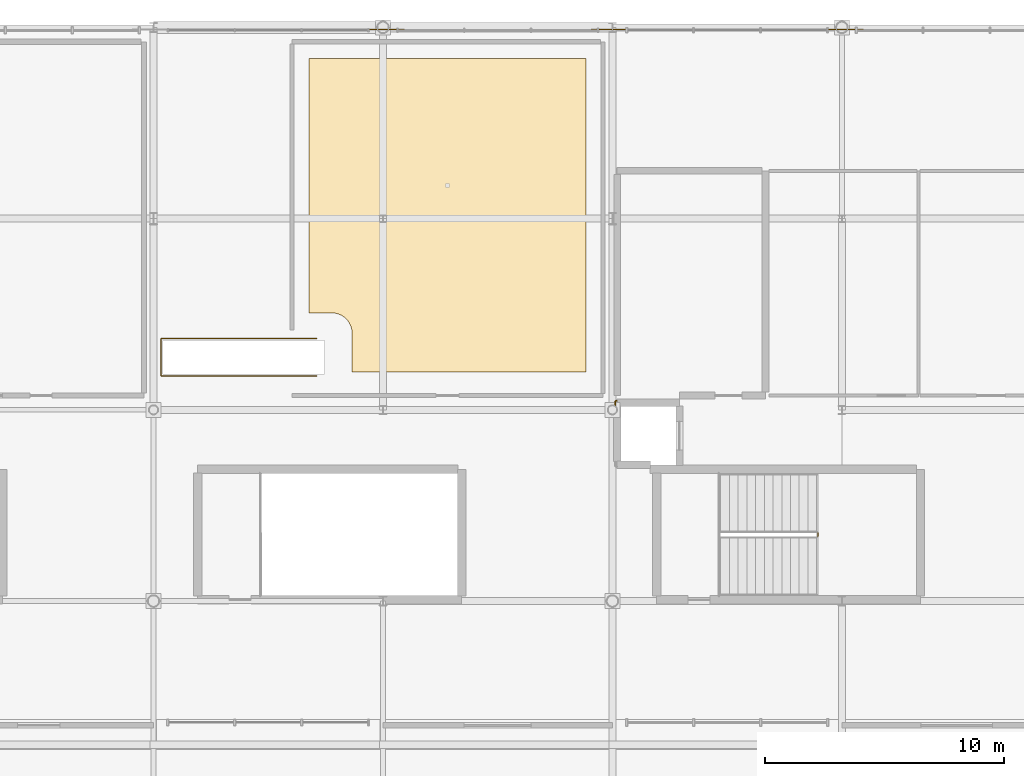
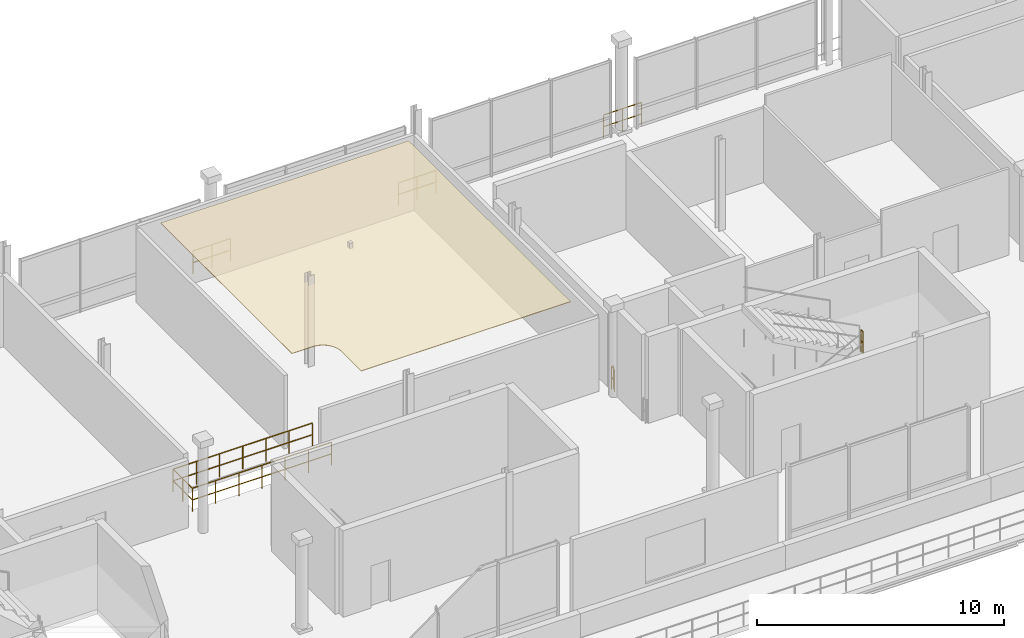
# One storey, part 24 of 26: 6 railings, 1 covering.
"""IFC4 building model written with IfcOpenShell, lengths in metres."""

from ifc_helpers import new_model, si_unit, direction, frame, origin, origin_2d, place, context, subcontext, project, spatial, polyline, circle, outline, extrude, material, layer, layer_set, type_object, element, save


model = new_model("IFC4")

# Units and contexts
model_context = context("Model", 3, precision=1e-05, world=origin(), true_north=direction((0.0, 1.0)))
body_context = subcontext(model_context, "Body", "Model", "MODEL_VIEW")
ifc_project = project(units=[si_unit("LENGTHUNIT", "METRE"), si_unit("AREAUNIT", "SQUARE_METRE"), si_unit("VOLUMEUNIT", "CUBIC_METRE"), si_unit("PLANEANGLEUNIT", "RADIAN"), si_unit("MASSUNIT", "GRAM", prefix="KILO")], contexts=[model_context])

# Site, building, storey
site_placement = place(None, origin())
site = spatial("IfcSite", under=ifc_project, at=site_placement, CompositionType="ELEMENT")
building_placement = place(site_placement, origin())
building = spatial("IfcBuilding", under=site, at=building_placement, Name="Danafjord Basin Convention Centre", CompositionType="ELEMENT")
storey_placement = place(building_placement, frame((0.0, 0.0, 24.89990234375)))
storey = spatial("IfcBuildingStorey", under=building, at=storey_placement, Name="L05", CompositionType="ELEMENT", Elevation=24.89990234375)

# Covering
ifc_material_1 = material(Name="Acoustic mineral-fibre tile ceiling")
ifc_layer = layer(ifc_material_1, 0.030029296875)
ifc_layer_set = layer_set([ifc_layer], Name="Acoustic mineral-fibre tile ceiling")
covering_type = type_object("IfcCoveringType", Name="COV-CLG-GYP01", PredefinedType="CEILING", material=ifc_layer_set)
covering_placement = place(storey_placement, frame((0.0, 0.0, 4.0)))
element("IfcCovering", 1, at=covering_placement, inside=storey, type_object=covering_type, Name="Summit Boardroom Suite M502 acoustic ceiling", PredefinedType="CEILING", context=body_context, shape_type="SweptSolid", body=[
    extrude(outline(polyline([(37.110107421875, 27.199951171875), (37.10888671875, 27.243896484375), (37.10791015625, 27.260009765625), (37.10302734375, 27.30908203125), (37.10107421875, 27.323974609375), (37.0830078125, 27.410888671875), (37.0791015625, 27.426025390625), (37.06689453125, 27.467041015625), (37.06201171875, 27.48193359375), (37.02392578125, 27.573974609375), (37.01708984375, 27.587890625), (36.9990234375, 27.6220703125), (36.990966796875, 27.635986328125), (36.958984375, 27.68701171875), (36.949951171875, 27.699951171875), (36.910888671875, 27.7509765625), (36.868896484375, 27.797119140625), (36.85791015625, 27.80810546875), (36.846923828125, 27.819091796875), (36.801025390625, 27.861083984375), (36.75, 27.89990234375), (36.737060546875, 27.908935546875), (36.68603515625, 27.94091796875), (36.672119140625, 27.948974609375), (36.637939453125, 27.967041015625), (36.6240234375, 27.97412109375), (36.531982421875, 28.011962890625), (36.51708984375, 28.01708984375), (36.47607421875, 28.029052734375), (36.4609375, 28.032958984375), (36.3740234375, 28.051025390625), (36.35888671875, 28.052978515625), (36.31005859375, 28.05810546875), (36.2939453125, 28.05908203125), (36.25, 28.06005859375), (35.300048828125, 28.06005859375), (35.300048828125, 38.699951171875), (46.89990234375, 38.699951171875), (46.89990234375, 25.590087890625), (37.110107421875, 25.590087890625), (37.110107421875, 27.199951171875)])), origin(), (0.0, 0.0, 1.0), 0.030029296875),
])

# Railings
ifc_material_2 = material(Name="Laminated structural glass and stainless steel", Category="steel")
railing_type_1 = type_object("IfcRailingType", Name="RL-BAL-GLS", PredefinedType="BALUSTRADE", material=ifc_material_2)
railing_1_placement = place(storey_placement, frame((37.52001953125, 39.919921875, 0.0)))
element("IfcRailing", 2, at=railing_1_placement, inside=storey, type_object=railing_type_1, Name="L05 safety guard balustrade 311", PredefinedType="BALUSTRADE", context=body_context, shape_type="SweptSolid", body=[
    extrude(circle(Radius=0.02392578125, at=origin_2d()), frame((0.0, 0.0, 1.1259765625), z_axis=(1.0, 0.0, 0.0), x_axis=(0.0, 1.0, 0.0)), (0.0, 0.0, 1.0), 1.760009765625),
    extrude(circle(Radius=0.02392578125, at=origin_2d()), frame((0.0, 0.0, 0.55078125), z_axis=(1.0, 0.0, 0.0), x_axis=(0.0, 1.0, 0.0)), (0.0, 0.0, 1.0), 1.760009765625),
    extrude(circle(Radius=0.02099609375, at=origin_2d()), origin(), (0.0, 0.0, 1.0), 1.099853515625),
    extrude(circle(Radius=0.02099609375, at=origin_2d()), frame((0.8798828125, 0.0, 0.0)), (0.0, 0.0, 1.0), 1.099853515625),
    extrude(circle(Radius=0.02099609375, at=origin_2d()), frame((1.760009765625, 0.0, 0.0)), (0.0, 0.0, 1.0), 1.099853515625),
])
railing_2_placement = place(storey_placement, frame((47.1201171875, 39.919921875, 0.0)))
element("IfcRailing", 3, at=railing_2_placement, inside=storey, type_object=railing_type_1, Name="L05 safety guard balustrade 312", PredefinedType="BALUSTRADE", context=body_context, shape_type="SweptSolid", body=[
    extrude(circle(Radius=0.02392578125, at=origin_2d()), frame((0.0, 0.0, 1.1259765625), z_axis=(1.0, 0.0, 0.0), x_axis=(0.0, 1.0, 0.0)), (0.0, 0.0, 1.0), 1.759765625),
    extrude(circle(Radius=0.02392578125, at=origin_2d()), frame((0.0, 0.0, 0.55078125), z_axis=(1.0, 0.0, 0.0), x_axis=(0.0, 1.0, 0.0)), (0.0, 0.0, 1.0), 1.759765625),
    extrude(circle(Radius=0.02099609375, at=origin_2d()), origin(), (0.0, 0.0, 1.0), 1.099853515625),
    extrude(circle(Radius=0.02099609375, at=origin_2d()), frame((0.8798828125, 0.0, 0.0)), (0.0, 0.0, 1.0), 1.099853515625),
    extrude(circle(Radius=0.02099609375, at=origin_2d()), frame((1.759765625, 0.0, 0.0)), (0.0, 0.0, 1.0), 1.099853515625),
])
railing_3_placement = place(storey_placement, frame((56.719970703125, 39.919921875, 0.0)))
element("IfcRailing", 4, at=railing_3_placement, inside=storey, type_object=railing_type_1, Name="L05 safety guard balustrade 313", PredefinedType="BALUSTRADE", context=body_context, shape_type="SweptSolid", body=[
    extrude(circle(Radius=0.02392578125, at=origin_2d()), frame((0.0, 0.0, 1.1259765625), z_axis=(1.0, 0.0, 0.0), x_axis=(0.0, 1.0, 0.0)), (0.0, 0.0, 1.0), 1.760009765625),
    extrude(circle(Radius=0.02392578125, at=origin_2d()), frame((0.0, 0.0, 0.55078125), z_axis=(1.0, 0.0, 0.0), x_axis=(0.0, 1.0, 0.0)), (0.0, 0.0, 1.0), 1.760009765625),
    extrude(circle(Radius=0.02099609375, at=origin_2d()), origin(), (0.0, 0.0, 1.0), 1.099853515625),
    extrude(circle(Radius=0.02099609375, at=origin_2d()), frame((0.8798828125, 0.0, 0.0)), (0.0, 0.0, 1.0), 1.099853515625),
    extrude(circle(Radius=0.02099609375, at=origin_2d()), frame((1.760009765625, 0.0, 0.0)), (0.0, 0.0, 1.0), 1.099853515625),
])
railing_4_placement = place(storey_placement, frame((48.199951171875, 24.3798828125, 0.0)))
element("IfcRailing", 5, at=railing_4_placement, inside=storey, type_object=railing_type_1, Name="L05 safety guard balustrade 324", PredefinedType="BALUSTRADE", context=body_context, shape_type="SweptSolid", body=[
    extrude(circle(Radius=0.02392578125, at=origin_2d()), frame((0.0, 0.0, 1.1259765625), z_axis=(-1.0, 0.0, 0.0), x_axis=(0.0, -1.0, 0.0)), (0.0, 0.0, 1.0), 0.079833984375),
    extrude(circle(Radius=0.02392578125, at=origin_2d()), frame((0.0, 0.0, 0.55078125), z_axis=(-1.0, 0.0, 0.0), x_axis=(0.0, -1.0, 0.0)), (0.0, 0.0, 1.0), 0.079833984375),
    extrude(circle(Radius=0.02392578125, at=origin_2d()), frame((-0.079833984375, 0.0, 1.1259765625), z_axis=(0.0, -1.0, 0.0), x_axis=(1.0, 0.0, 0.0)), (0.0, 0.0, 1.0), 0.21484375),
    extrude(circle(Radius=0.02392578125, at=origin_2d()), frame((-0.079833984375, 0.0, 0.55078125), z_axis=(0.0, -1.0, 0.0), x_axis=(1.0, 0.0, 0.0)), (0.0, 0.0, 1.0), 0.21484375),
    extrude(circle(Radius=0.02099609375, at=origin_2d()), origin(), (0.0, 0.0, 1.0), 1.099853515625),
    extrude(circle(Radius=0.02099609375, at=origin_2d()), frame((-0.079833984375, 0.0, 0.0)), (0.0, 0.0, 1.0), 1.099853515625),
    extrude(circle(Radius=0.02099609375, at=origin_2d()), frame((-0.079833984375, -0.21484375, 0.0)), (0.0, 0.0, 1.0), 1.099853515625),
])
ifc_material_3 = material(Name="Galvanised and powder-coated steel S355", Category="steel")
railing_type_2 = type_object("IfcRailingType", Name="RL-BAL-STL", PredefinedType="BALUSTRADE", material=ifc_material_3)
railing_5_placement = place(storey_placement, frame((35.6298828125, 26.97998046875, 0.0)))
element("IfcRailing", 6, at=railing_5_placement, inside=storey, type_object=railing_type_2, Name="L05 safety guard balustrade 327", PredefinedType="BALUSTRADE", context=body_context, shape_type="SweptSolid", body=[
    extrude(circle(Radius=0.02392578125, at=origin_2d()), frame((0.0, 0.0, 1.1259765625), z_axis=(-1.0, 0.0, 0.0), x_axis=(0.0, -1.0, 0.0)), (0.0, 0.0, 1.0), 6.509765625),
    extrude(circle(Radius=0.02392578125, at=origin_2d()), frame((0.0, 0.0, 0.55078125), z_axis=(-1.0, 0.0, 0.0), x_axis=(0.0, -1.0, 0.0)), (0.0, 0.0, 1.0), 6.509765625),
    extrude(circle(Radius=0.02392578125, at=origin_2d()), frame((-6.509765625, 0.0, 1.1259765625), z_axis=(0.0, -1.0, 0.0), x_axis=(1.0, 0.0, 0.0)), (0.0, 0.0, 1.0), 1.56005859375),
    extrude(circle(Radius=0.02392578125, at=origin_2d()), frame((-6.509765625, 0.0, 0.55078125), z_axis=(0.0, -1.0, 0.0), x_axis=(1.0, 0.0, 0.0)), (0.0, 0.0, 1.0), 1.56005859375),
    extrude(circle(Radius=0.02392578125, at=origin_2d()), frame((-6.509765625, -1.56005859375, 1.1259765625), z_axis=(1.0, 0.0, 0.0), x_axis=(0.0, 1.0, 0.0)), (0.0, 0.0, 1.0), 6.509765625),
    extrude(circle(Radius=0.02392578125, at=origin_2d()), frame((-6.509765625, -1.56005859375, 0.55078125), z_axis=(1.0, 0.0, 0.0), x_axis=(0.0, 1.0, 0.0)), (0.0, 0.0, 1.0), 6.509765625),
    extrude(circle(Radius=0.02099609375, at=origin_2d()), origin(), (0.0, 0.0, 1.0), 1.099853515625),
    extrude(circle(Radius=0.02099609375, at=origin_2d()), frame((-1.0849609375, 0.0, 0.0)), (0.0, 0.0, 1.0), 1.099853515625),
    extrude(circle(Radius=0.02099609375, at=origin_2d()), frame((-2.169921875, 0.0, 0.0)), (0.0, 0.0, 1.0), 1.099853515625),
    extrude(circle(Radius=0.02099609375, at=origin_2d()), frame((-3.2548828125, 0.0, 0.0)), (0.0, 0.0, 1.0), 1.099853515625),
    extrude(circle(Radius=0.02099609375, at=origin_2d()), frame((-4.33984375, 0.0, 0.0)), (0.0, 0.0, 1.0), 1.099853515625),
    extrude(circle(Radius=0.02099609375, at=origin_2d()), frame((-5.4248046875, 0.0, 0.0)), (0.0, 0.0, 1.0), 1.099853515625),
    extrude(circle(Radius=0.02099609375, at=origin_2d()), frame((-6.509765625, 0.0, 0.0)), (0.0, 0.0, 1.0), 1.099853515625),
    extrude(circle(Radius=0.02099609375, at=origin_2d()), frame((-6.509765625, -0.780029296875, 0.0)), (0.0, 0.0, 1.0), 1.099853515625),
    extrude(circle(Radius=0.02099609375, at=origin_2d()), frame((-6.509765625, -1.56005859375, 0.0)), (0.0, 0.0, 1.0), 1.099853515625),
    extrude(circle(Radius=0.02099609375, at=origin_2d()), frame((-5.4248046875, -1.56005859375, 0.0)), (0.0, 0.0, 1.0), 1.099853515625),
    extrude(circle(Radius=0.02099609375, at=origin_2d()), frame((-4.33984375, -1.56005859375, 0.0)), (0.0, 0.0, 1.0), 1.099853515625),
    extrude(circle(Radius=0.02099609375, at=origin_2d()), frame((-3.2548828125, -1.56005859375, 0.0)), (0.0, 0.0, 1.0), 1.099853515625),
    extrude(circle(Radius=0.02099609375, at=origin_2d()), frame((-2.169921875, -1.56005859375, 0.0)), (0.0, 0.0, 1.0), 1.099853515625),
    extrude(circle(Radius=0.02099609375, at=origin_2d()), frame((-1.0849609375, -1.56005859375, 0.0)), (0.0, 0.0, 1.0), 1.099853515625),
    extrude(circle(Radius=0.02099609375, at=origin_2d()), frame((0.0, -1.56005859375, 0.0)), (0.0, 0.0, 1.0), 1.099853515625),
])
ifc_material_4 = material(Name="Galvanised steel S355", Category="steel")
railing_type_3 = type_object("IfcRailingType", Name="RL-GD-WELL", PredefinedType="BALUSTRADE", material=ifc_material_4)
railing_6_placement = place(storey_placement, frame((56.594970703125, 18.7099609375, 2.25)))
element("IfcRailing", 7, at=railing_6_placement, inside=storey, type_object=railing_type_3, Name="L05 ST-05 stair guard 2", PredefinedType="BALUSTRADE", context=body_context, shape_type="SweptSolid", body=[
    extrude(circle(Radius=0.02392578125, at=origin_2d()), frame((0.0, 0.0, 1.076171875), z_axis=(0.0, 1.0, 0.0), x_axis=(-1.0, 0.0, 0.0)), (0.0, 0.0, 1.0), 0.14013671875),
    extrude(circle(Radius=0.02392578125, at=origin_2d()), frame((0.0, 0.0, 0.52587890625), z_axis=(0.0, 1.0, 0.0), x_axis=(-1.0, 0.0, 0.0)), (0.0, 0.0, 1.0), 0.14013671875),
    extrude(circle(Radius=0.02099609375, at=origin_2d()), origin(), (0.0, 0.0, 1.0), 1.050048828125),
    extrude(circle(Radius=0.02099609375, at=origin_2d()), frame((0.0, 0.14013671875, 0.0)), (0.0, 0.0, 1.0), 1.050048828125),
])

save(model, "model.ifc")
